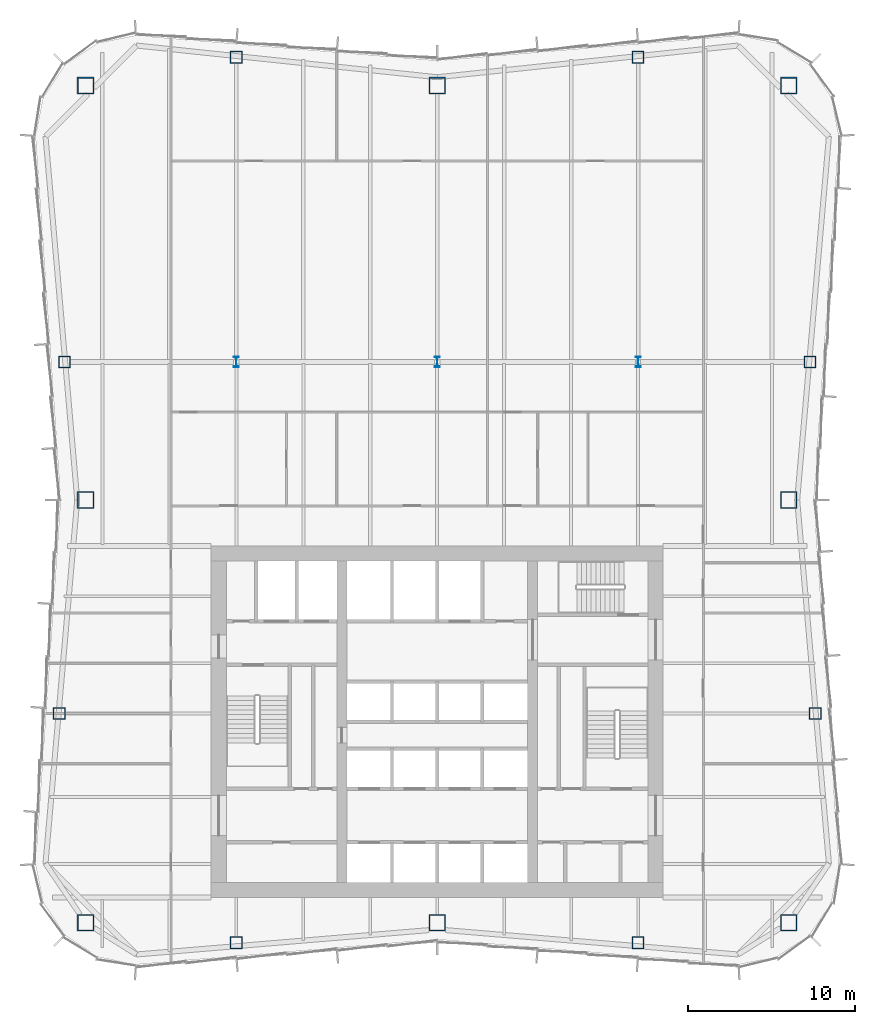
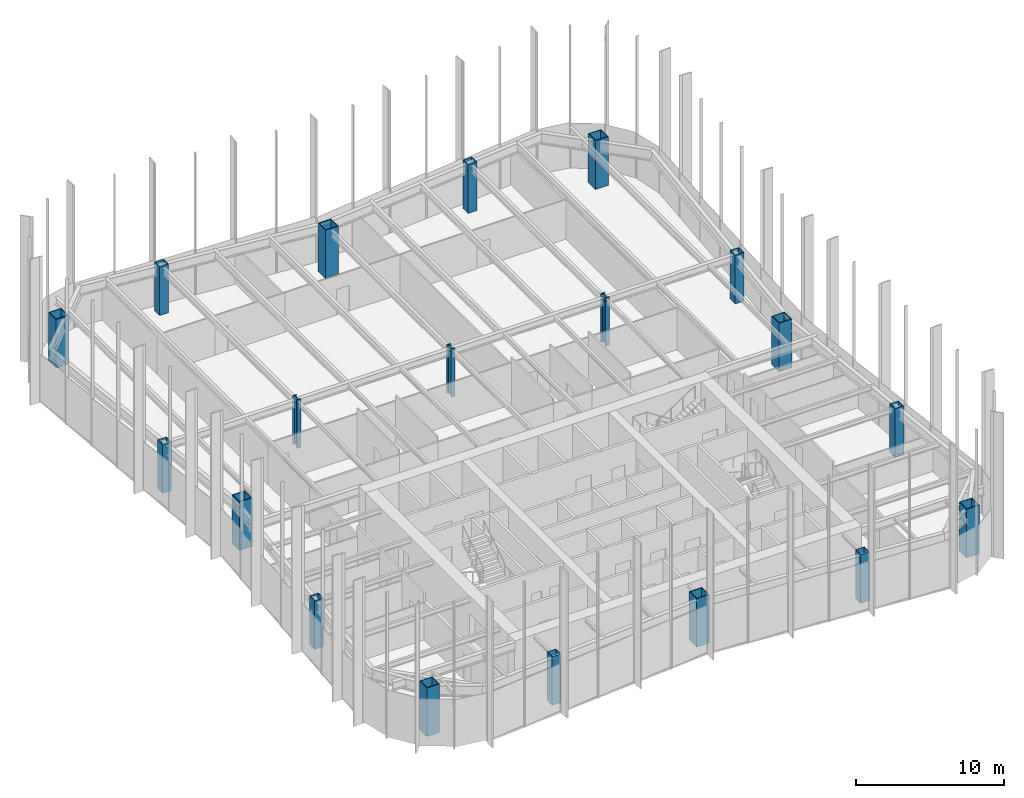
# One storey, part 1 of 13: 19 columns.
"""IFC4 building model written with IfcOpenShell, lengths in metres."""

import ifcopenshell
import ifcopenshell.guid

model = None  # the IFC model being written
_history = None  # IfcOwnerHistory: only IFC2X3 demands one
_inside = {}  # id of a spatial element -> (the spatial element, [elements in it])
_under = {}  # id of a project, library or spatial element -> (it, [spatial elements below it])
_declared = {}  # id of a project -> (the project, [libraries it declares])
_typed = {}  # id of a type object -> (the type object, [elements of that type])
_made_of = {}  # id of a material, layer set ... -> (it, [elements and type objects made of it])


def new_model(schema):
    """Start an empty IFC model of exactly this schema.

    Asked for "IFC4X3", IfcOpenShell would pick the latest addendum, in which some entities
    have other attributes; the version numbers below select the first issue.
    IFC2X3 requires an IfcOwnerHistory on every rooted entity: one is made here for all.
    """
    global model, _history
    if schema == "IFC4X3":
        model = ifcopenshell.file(schema_version=(4, 3, 0, 0))
    else:
        model = ifcopenshell.file(schema=schema)
    _inside.clear()
    _under.clear()
    _declared.clear()
    _typed.clear()
    _made_of.clear()
    _history = None
    if model.schema == "IFC2X3":
        org = make("IfcOrganization", Name="unknown")
        user = make(
            "IfcPersonAndOrganization",
            ThePerson=make("IfcPerson", FamilyName="unknown"),
            TheOrganization=org,
        )
        app = make(
            "IfcApplication",
            ApplicationDeveloper=org,
            Version="unknown",
            ApplicationFullName="unknown",
            ApplicationIdentifier="unknown",
        )
        _history = make(
            "IfcOwnerHistory",
            OwningUser=user,
            OwningApplication=app,
            ChangeAction="ADDED",
            CreationDate=0,
        )
    return model


def make(cls, **values):
    """One entity of the class cls with the attributes given. An attribute that is None is left unset."""
    return model.create_entity(
        cls, **{name: value for name, value in values.items() if value is not None}
    )


def rooted(cls, **values):
    """An entity with a GlobalId (a new one), such as an element, a storey or a relation."""
    return make(cls, GlobalId=ifcopenshell.guid.new(), OwnerHistory=_history, **values)


def si_unit(unit_type, name, prefix=None):
    """IfcSIUnit, for example si_unit("LENGTHUNIT", "METRE", prefix="MILLI")."""
    return make("IfcSIUnit", UnitType=unit_type, Prefix=prefix, Name=name)


def assignment(units):
    """IfcUnitAssignment: the units of a project."""
    return None if units is None else make("IfcUnitAssignment", Units=units)


def point(xyz):
    """IfcCartesianPoint."""
    return None if xyz is None else make("IfcCartesianPoint", Coordinates=xyz)


def direction(xyz):
    """IfcDirection."""
    return None if xyz is None else make("IfcDirection", DirectionRatios=xyz)


def frame(location, z_axis=None, x_axis=None):
    """IfcAxis2Placement3D, a coordinate frame: its origin and axes. An axis left out is left unset."""
    return make(
        "IfcAxis2Placement3D",
        Location=point(location),
        Axis=direction(z_axis),
        RefDirection=direction(x_axis),
    )


def frame_2d(location, x_axis=None):
    """IfcAxis2Placement2D, a coordinate frame in the plane: its origin and x axis."""
    return make(
        "IfcAxis2Placement2D", Location=point(location), RefDirection=direction(x_axis)
    )


def origin():
    """The frame at (0, 0, 0) with its axes left unset."""
    return frame((0.0, 0.0, 0.0))


def origin_2d():
    """The frame at (0, 0) in the plane with its x axis left unset."""
    return frame_2d((0.0, 0.0))


def place(relative_to, where):
    """IfcLocalPlacement: puts the frame where relative to a parent placement (None: the world)."""
    return make(
        "IfcLocalPlacement", PlacementRelTo=relative_to, RelativePlacement=where
    )


def context(
    kind, dimensions, precision=None, world=None, true_north=None, identifier=None
):
    """IfcGeometricRepresentationContext, for example the 3D "Model" context."""
    return make(
        "IfcGeometricRepresentationContext",
        ContextIdentifier=identifier,
        ContextType=kind,
        CoordinateSpaceDimension=dimensions,
        Precision=precision,
        WorldCoordinateSystem=world,
        TrueNorth=true_north,
    )


def subcontext(parent, identifier, kind, view, scale=None):
    """IfcGeometricRepresentationSubContext, for example "Body" below "Model"."""
    return make(
        "IfcGeometricRepresentationSubContext",
        ContextIdentifier=identifier,
        ContextType=kind,
        ParentContext=parent,
        TargetScale=scale,
        TargetView=view,
    )


def project(units=None, contexts=None):
    """IfcProject with its units and contexts."""
    return rooted(
        "IfcProject",
        Name="project",
        RepresentationContexts=contexts,
        UnitsInContext=assignment(units),
    )


def spatial(cls, under=None, at=None, **own):
    """A site, building, storey or space (cls), placed at a placement, below another one or the project."""
    s = rooted(cls, ObjectPlacement=at, **own)
    if under is not None:
        _under.setdefault(under.id(), (under, []))[1].append(s)
    return s


def profile(cls, at=None, kind="AREA", **sizes):
    """A parametric profile (cls). Its sizes go by their IFC names, for example OverallWidth=200.0."""
    return make(cls, ProfileType=kind, Position=at, **sizes)


def hollow_rectangle(**sizes):
    """IfcRectangleHollowProfileDef."""
    return profile("IfcRectangleHollowProfileDef", **sizes)


def i_section(**sizes):
    """IfcIShapeProfileDef."""
    return profile("IfcIShapeProfileDef", **sizes)


def extrude(swept, where, along, depth):
    """IfcExtrudedAreaSolid: the profile swept, set in the frame where, extruded along a direction by depth."""
    return make(
        "IfcExtrudedAreaSolid",
        SweptArea=swept,
        Position=where,
        ExtrudedDirection=direction(along),
        Depth=depth,
    )


def shape(context_of_items, identifier, shape_type, items):
    """IfcShapeRepresentation: the items that make up one representation, for example the "Body"."""
    return make(
        "IfcShapeRepresentation",
        ContextOfItems=context_of_items,
        RepresentationIdentifier=identifier,
        RepresentationType=shape_type,
        Items=items,
    )


def material(Name=None, Category=None):
    """IfcMaterial."""
    return make("IfcMaterial", Name=Name, Category=Category)


def material_profile(
    of_material, cross_section, Name=None, Category=None, Priority=None
):
    """IfcMaterialProfile: a cross section and its material."""
    return make(
        "IfcMaterialProfile",
        Name=Name,
        Material=of_material,
        Profile=cross_section,
        Priority=Priority,
        Category=Category,
    )


def profile_set(profiles, Name=None, composite=None):
    """IfcMaterialProfileSet."""
    return make(
        "IfcMaterialProfileSet",
        Name=Name,
        MaterialProfiles=profiles,
        CompositeProfile=composite,
    )


def made_of(thing, what):
    """Note that an element or type object is made of a material, layer set ...; save() writes the relation."""
    if what is not None:
        _made_of.setdefault(what.id(), (what, []))[1].append(thing)
    return thing


def type_object(cls, material=None, **own):
    """A type object (cls), such as IfcWallType, which elements share."""
    return made_of(rooted(cls, **own), material)


def element(
    cls,
    number,
    at=None,
    inside=None,
    cuts=None,
    type_object=None,
    material=None,
    context=None,
    identifier="Body",
    shape_type=None,
    held_by="IfcProductDefinitionShape",
    body=None,
    shapes=None,
    **own,
):
    """One element of the class cls, such as IfcWall. Its Tag is "e" and its number.

    at: its placement. inside: the storey or other place that contains it. cuts: it is an
    opening in that element (IfcRelVoidsElement). A single representation is given by context,
    identifier, shape_type and body (its items); several are given by shapes. held_by: the class
    of the entity that holds the representations. save() writes the other relations.
    """
    e = rooted(cls, Tag="e%d" % number, ObjectPlacement=at, **own)
    if body is not None:
        shapes = [shape(context, identifier, shape_type, body)]
    if shapes is not None:
        e.Representation = make(held_by, Representations=shapes)
    if inside is not None:
        _inside.setdefault(inside.id(), (inside, []))[1].append(e)
    if cuts is not None:
        rooted(
            "IfcRelVoidsElement", RelatingBuildingElement=cuts, RelatedOpeningElement=e
        )
    if type_object is not None:
        _typed.setdefault(type_object.id(), (type_object, []))[1].append(e)
    return made_of(e, material)


def aggregate(whole, parts):
    """IfcRelAggregates: a whole, such as a stair, and the parts it consists of."""
    return rooted("IfcRelAggregates", RelatingObject=whole, RelatedObjects=parts)


def save(model, path):
    """Write the relations noted so far, then the file.

    IfcRelAggregates (storeys below a building ...), IfcRelContainedInSpatialStructure (elements
    in a storey), IfcRelDefinesByType, IfcRelAssociatesMaterial and IfcRelDeclares: one each for
    every whole, place, type object, material and project.
    """
    for whole, parts in _under.values():
        aggregate(whole, parts)
    for where, things in _inside.values():
        rooted(
            "IfcRelContainedInSpatialStructure",
            RelatedElements=things,
            RelatingStructure=where,
        )
    for kind, things in _typed.values():
        rooted("IfcRelDefinesByType", RelatedObjects=things, RelatingType=kind)
    for what, things in _made_of.values():
        rooted("IfcRelAssociatesMaterial", RelatedObjects=things, RelatingMaterial=what)
    for by, libraries in _declared.values():
        rooted("IfcRelDeclares", RelatingContext=by, RelatedDefinitions=libraries)
    model.write(path)


model = new_model("IFC4")

# Units and contexts
model_context = context("Model", 3, precision=1e-05, world=origin(), true_north=direction((0.0, 1.0)))
body_context = subcontext(model_context, "Body", "Model", "MODEL_VIEW")
ifc_project = project(units=[si_unit("LENGTHUNIT", "METRE"), si_unit("AREAUNIT", "SQUARE_METRE"), si_unit("VOLUMEUNIT", "CUBIC_METRE"), si_unit("PLANEANGLEUNIT", "RADIAN"), si_unit("MASSUNIT", "GRAM", prefix="KILO")], contexts=[model_context])

# Site, building, storey
site_placement = place(None, origin())
site = spatial("IfcSite", under=ifc_project, at=site_placement, CompositionType="ELEMENT")
building_placement = place(site_placement, origin())
building = spatial("IfcBuilding", under=site, at=building_placement, Name="Verdant Reach Tower", CompositionType="ELEMENT")
storey_placement = place(building_placement, frame((0.0, 0.0, 182.0)))
storey = spatial("IfcBuildingStorey", under=building, at=storey_placement, Name="L41", CompositionType="ELEMENT", Elevation=182.0)

# Columns
ifc_material = material(Name="Steel S460", Category="steel")
ifc_material_profile_1 = material_profile(ifc_material, i_section(OverallWidth=0.304931640625, OverallDepth=0.6201171875, WebThickness=0.02099609375, FlangeThickness=0.0400390625, FilletRadius=0.027099609375, at=origin_2d()), Name="HEM 600")
ifc_profile_set_1 = profile_set([ifc_material_profile_1], Name="Steel S460")
column_type_1 = type_object("IfcColumnType", Name="ST-COL-HEM600", PredefinedType="COLUMN", material=ifc_profile_set_1)
for number, where, z_axis, x_axis, name in (
    (1, (-12.0, 49.5, 0.0), (0.0, 0.0, 1.0), (1.0, 0.0, 0.0), "Interior column 1, L41"),
    (2, (0.0, 49.5, 0.0), (0.0, 0.0, 1.0), (1.0, 0.0, 0.0), "Interior column 2, L41"),
    (3, (12.0, 49.5, 0.0), (0.0, 0.0, 1.0), (1.0, 0.0, 0.0), "Interior column 3, L41"),
):
    element("IfcColumn", number, at=place(storey_placement, frame(where, z_axis=z_axis, x_axis=x_axis)), inside=storey, type_object=column_type_1, Name=name, PredefinedType="COLUMN", context=body_context, shape_type="SweptSolid", body=[
        extrude(i_section(OverallWidth=0.304931640625, OverallDepth=0.6201171875, WebThickness=0.02099609375, FlangeThickness=0.0400390625, FilletRadius=0.027099609375, at=origin_2d()), origin(), (0.0, 0.0, 1.0), 4.0),
    ])
ifc_material_profile_2 = material_profile(ifc_material, hollow_rectangle(XDim=1.0, YDim=1.0, WallThickness=0.06005859375, at=origin_2d()), Name="WB 1000x1000x60")
ifc_profile_set_2 = profile_set([ifc_material_profile_2], Name="Steel S460")
column_type_2 = type_object("IfcColumnType", Name="ST-COL-WB1000x1000x60", PredefinedType="COLUMN", material=ifc_profile_set_2)
for number, where, z_axis, x_axis, name in (
    (4, (-21.0, 66.0, 0.0), (0.0, 0.0, 1.0), (1.0, 0.0, 0.0), "Mega column north-west, L41"),
    (5, (0.0, 66.0, 0.0), (0.0, 0.0, 1.0), (1.0, 0.0, 0.0), "Mega column north, L41"),
    (6, (21.0, 66.0, 0.0), (0.0, 0.0, 1.0), (1.0, 0.0, 0.0), "Mega column north-east, L41"),
    (7, (21.0, 41.25, 0.0), (0.0, 0.0, 1.0), (1.0, 0.0, 0.0), "Mega column east, L41"),
    (8, (21.0, 16.0, 0.0), (0.0, 0.0, 1.0), (1.0, 0.0, 0.0), "Mega column south-east, L41"),
    (9, (0.0, 16.0, 0.0), (0.0, 0.0, 1.0), (1.0, 0.0, 0.0), "Mega column south, L41"),
    (10, (-21.0, 16.0, 0.0), (0.0, 0.0, 1.0), (1.0, 0.0, 0.0), "Mega column south-west, L41"),
    (11, (-21.0, 41.25, 0.0), (0.0, 0.0, 1.0), (1.0, 0.0, 0.0), "Mega column west, L41"),
):
    element("IfcColumn", number, at=place(storey_placement, frame(where, z_axis=z_axis, x_axis=x_axis)), inside=storey, type_object=column_type_2, Name=name, PredefinedType="COLUMN", context=body_context, shape_type="SweptSolid", body=[
        extrude(hollow_rectangle(XDim=1.0, YDim=1.0, WallThickness=0.06005859375, at=origin_2d()), origin(), (0.0, 0.0, 1.0), 4.0),
    ])
ifc_material_profile_3 = material_profile(ifc_material, hollow_rectangle(XDim=0.699951171875, YDim=0.699951171875, WallThickness=0.030029296875, at=origin_2d()), Name="WB 700x700x30")
ifc_profile_set_3 = profile_set([ifc_material_profile_3], Name="Steel S460")
column_type_3 = type_object("IfcColumnType", Name="ST-COL-WB700x700x30", PredefinedType="COLUMN", material=ifc_profile_set_3)
for number, where, z_axis, x_axis, name in (
    (12, (-12.0, 67.699951171875, 0.0), (0.0, 0.0, 1.0), (1.0, 0.0, 0.0), "Perimeter column north 1, L41"),
    (13, (12.0, 67.699951171875, 0.0), (0.0, 0.0, 1.0), (1.0, 0.0, 0.0), "Perimeter column north 2, L41"),
    (14, (-12.0, 14.800048828125, 0.0), (0.0, 0.0, 1.0), (1.0, 0.0, 0.0), "Perimeter column south 1, L41"),
    (15, (12.0, 14.800048828125, 0.0), (0.0, 0.0, 1.0), (1.0, 0.0, 0.0), "Perimeter column south 2, L41"),
    (16, (22.579345703125, 28.5, 0.0), (0.0, 0.0, 1.0), (1.0, 0.0, 0.0), "Perimeter column east 1, L41"),
    (17, (22.26904296875, 49.5, 0.0), (0.0, 0.0, 1.0), (1.0, 0.0, 0.0), "Perimeter column east 2, L41"),
    (18, (-22.579345703125, 28.5, 0.0), (0.0, 0.0, 1.0), (1.0, 0.0, 0.0), "Perimeter column west 1, L41"),
    (19, (-22.26904296875, 49.5, 0.0), (0.0, 0.0, 1.0), (1.0, 0.0, 0.0), "Perimeter column west 2, L41"),
):
    element("IfcColumn", number, at=place(storey_placement, frame(where, z_axis=z_axis, x_axis=x_axis)), inside=storey, type_object=column_type_3, Name=name, PredefinedType="COLUMN", context=body_context, shape_type="SweptSolid", body=[
        extrude(hollow_rectangle(XDim=0.699951171875, YDim=0.699951171875, WallThickness=0.030029296875, at=origin_2d()), origin(), (0.0, 0.0, 1.0), 4.0),
    ])

save(model, "model.ifc")
